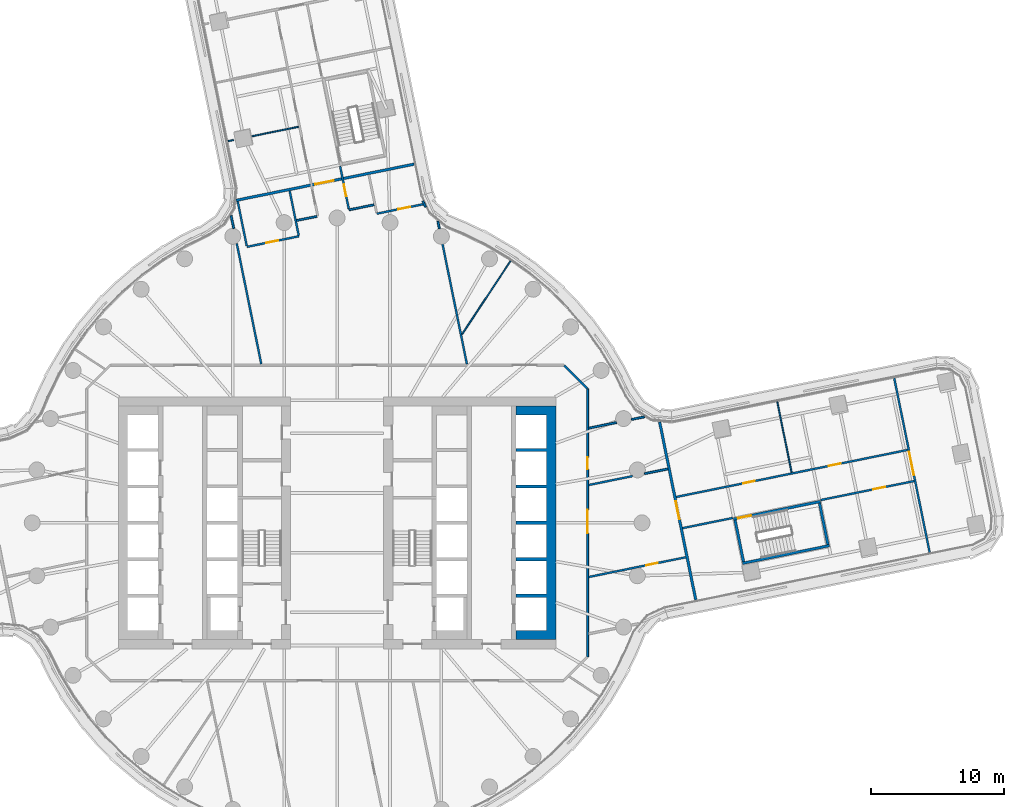
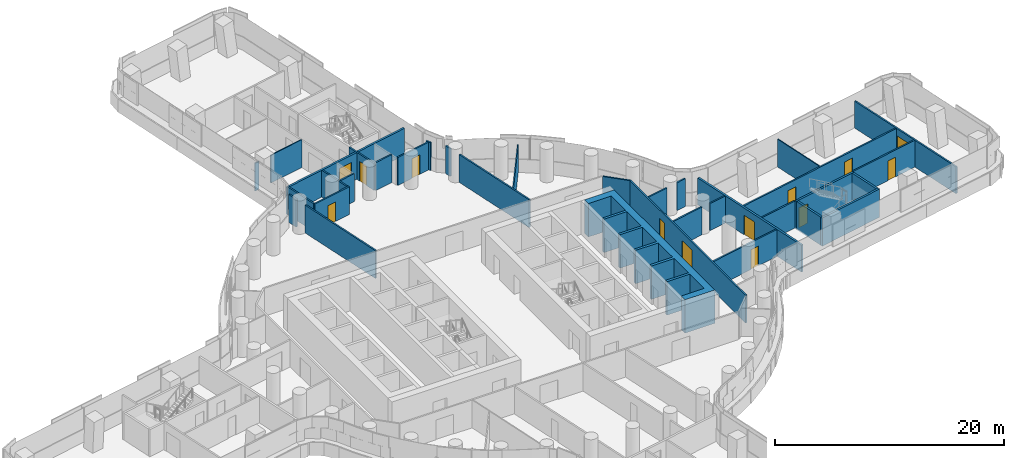
# One storey, part 21 of 31: 34 walls, 13 doors, 13 openings.
"""IFC4 building model written with IfcOpenShell, lengths in metres."""

from ifc_helpers import new_model, si_unit, direction, frame, frame_2d, origin, place, context, subcontext, project, spatial, polyline, rectangle, outline, extrude, material, layer, layer_set, type_object, element, fill, save


model = new_model("IFC4")

# Units and contexts
model_context = context("Model", 3, precision=1e-05, world=origin(), true_north=direction((0.0, 1.0)))
body_context = subcontext(model_context, "Body", "Model", "MODEL_VIEW")
ifc_project = project(units=[si_unit("LENGTHUNIT", "METRE"), si_unit("AREAUNIT", "SQUARE_METRE"), si_unit("VOLUMEUNIT", "CUBIC_METRE"), si_unit("PLANEANGLEUNIT", "RADIAN"), si_unit("MASSUNIT", "GRAM", prefix="KILO")], contexts=[model_context])

# Site, building, storey
site_placement = place(None, origin())
site = spatial("IfcSite", under=ifc_project, at=site_placement, CompositionType="ELEMENT")
building_placement = place(site_placement, origin())
building = spatial("IfcBuilding", under=site, at=building_placement, Name="Tamarind Cross Interchange Tower", CompositionType="ELEMENT")
storey_placement = place(building_placement, frame((0.0, 0.0, 75.25)))
storey = spatial("IfcBuildingStorey", under=building, at=storey_placement, Name="L17", CompositionType="ELEMENT", Elevation=75.25)

# Walls
ifc_material_1 = material(Name="Concrete C80", Category="concrete")
ifc_layer_1 = layer(ifc_material_1, 0.699951171875)
ifc_layer_set_1 = layer_set([ifc_layer_1], Name="Concrete C80")
wall_type_1 = type_object("IfcWallType", Name="Core wall 700 mm Concrete C80", PredefinedType="SHEAR", material=ifc_layer_set_1)
wall_1_placement = place(storey_placement, origin())
element("IfcWall", 1, at=wall_1_placement, inside=storey, type_object=wall_type_1, Name="Core wall CWL-L17-E-A", PredefinedType="SHEAR", context=body_context, shape_type="SweptSolid", body=[
    extrude(outline(polyline([(13.5, -8.800048828125), (15.800048828125, -8.800048828125), (16.5, -8.800048828125), (16.5, 8.800048828125), (15.800048828125, 8.800048828125), (13.5, 8.800048828125), (13.5, 8.125), (15.800048828125, 8.125), (15.800048828125, 5.625), (13.5, 5.625), (13.5, 5.375), (15.800048828125, 5.375), (15.800048828125, 2.875), (13.5, 2.875), (13.5, 2.625), (15.800048828125, 2.625), (15.800048828125, 0.125), (13.5, 0.125), (13.5, -0.125), (15.800048828125, -0.125), (15.800048828125, -2.625), (13.5, -2.625), (13.5, -2.875), (15.800048828125, -2.875), (15.800048828125, -5.375), (13.5, -5.375), (13.5, -5.625), (15.800048828125, -5.625), (15.800048828125, -8.125), (13.5, -8.125), (13.5, -8.800048828125)])), origin(), (0.0, 0.0, 1.0), 3.570068359375),
])
ifc_material_2 = material(Name="Gypsum board partition on steel studs", Category="steel")
ifc_layer_2 = layer(ifc_material_2, 0.10009765625)
ifc_layer_set_2 = layer_set([ifc_layer_2], Name="Gypsum board partition on steel studs")
wall_type_2 = type_object("IfcWallType", Name="Partition 100 mm EI 90", PredefinedType="PARTITIONING", material=ifc_layer_set_2)
wall_2_placement = place(storey_placement, frame((33.205078125, 9.1298828125, 0.0), z_axis=(0.0, 0.0, 1.0), x_axis=(0.199282852927, -0.979942010799, 0.0)))
element("IfcWall", 2, at=wall_2_placement, inside=storey, type_object=wall_type_2, Name="Partition L17-025", PredefinedType="PARTITIONING", context=body_context, shape_type="SweptSolid", body=[
    extrude(rectangle(XDim=5.439453125, YDim=0.10009765625, at=frame_2d((2.7197265625, 0.0))), origin(), (0.0, 0.0, 1.0), 2.969970703125),
])
wall_3_placement = place(storey_placement, frame((-8.239013671875, 28.794189453125, 0.0), z_axis=(0.0, 0.0, 1.0), x_axis=(0.979971928463, 0.199135680941, 0.0)))
element("IfcWall", 3, at=wall_3_placement, inside=storey, type_object=wall_type_2, Name="Partition L17-045", PredefinedType="PARTITIONING", context=body_context, shape_type="SweptSolid", body=[
    extrude(rectangle(XDim=0.435302734375, YDim=0.10009765625, at=frame_2d((0.2177734375, 0.0))), origin(), (0.0, 0.0, 1.0), 2.969970703125),
])
wall_4_placement = place(storey_placement, frame((-6.427734375, 29.16259765625, 0.0), z_axis=(0.0, 0.0, 1.0), x_axis=(0.979949020508, 0.199248380685, 0.0)))
element("IfcWall", 4, at=wall_4_placement, inside=storey, type_object=wall_type_2, Name="Partition L17-046", PredefinedType="PARTITIONING", context=body_context, shape_type="SweptSolid", body=[
    extrude(rectangle(XDim=3.59619140625, YDim=0.10009765625, at=frame_2d((1.798095703125, 0.0))), origin(), (0.0, 0.0, 1.0), 2.969970703125),
])
wall_5_placement = place(storey_placement, frame((9.4306640625, 14.23681640625, 0.0), z_axis=(0.0, 0.0, 1.0), x_axis=(0.552140030004, 0.833751394162, 0.0)))
element("IfcWall", 5, at=wall_5_placement, inside=storey, type_object=wall_type_2, Name="Partition L17-071", PredefinedType="PARTITIONING", context=body_context, shape_type="SweptSolid", body=[
    extrude(rectangle(XDim=6.608642578125, YDim=0.10009765625, at=frame_2d((3.30419921875, 0.0))), origin(), (0.0, 0.0, 1.0), 2.969970703125),
])
ifc_layer_3 = layer(ifc_material_2, 0.14990234375)
ifc_layer_set_3 = layer_set([ifc_layer_3], Name="Gypsum board partition on steel studs")
wall_type_3 = type_object("IfcWallType", Name="Partition 150 mm EI 120", PredefinedType="PARTITIONING", material=ifc_layer_set_3)
wall_6_placement = place(storey_placement, frame((-7.99658203125, 23.1845703125, 0.0), z_axis=(0.0, 0.0, 1.0), x_axis=(0.199166137736, -0.979965738982, 0.0)))
element("IfcWall", 6, at=wall_6_placement, inside=storey, type_object=wall_type_3, Name="Partition L17-004", PredefinedType="PARTITIONING", context=body_context, shape_type="SweptSolid", body=[
    extrude(rectangle(XDim=1.000244140625, YDim=0.14990234375, at=frame_2d((0.5, 0.0))), origin(), (0.0, 0.0, 1.0), 2.969970703125),
])
wall_7_placement = place(storey_placement, frame((-7.5693359375, 21.08251953125, 0.0), z_axis=(0.0, 0.0, 1.0), x_axis=(0.199292052779, -0.979940139855, 0.0)))
element("IfcWall", 7, at=wall_7_placement, inside=storey, type_object=wall_type_3, Name="Partition L17-005", PredefinedType="PARTITIONING", context=body_context, shape_type="SweptSolid", body=[
    extrude(rectangle(XDim=9.295654296875, YDim=0.14990234375, at=frame_2d((4.64794921875, 0.0))), origin(), (0.0, 0.0, 1.0), 2.969970703125),
])
wall_8_placement = place(storey_placement, frame((-7.4990234375, 24.2509765625, 0.0), z_axis=(0.0, 0.0, 1.0), x_axis=(0.199153914045, -0.97996822322, 0.0)))
element("IfcWall", 8, at=wall_8_placement, inside=storey, type_object=wall_type_3, Name="Partition L17-008", PredefinedType="PARTITIONING", context=body_context, shape_type="SweptSolid", body=[
    extrude(rectangle(XDim=3.429931640625, YDim=0.14990234375, at=frame_2d((1.71484375, 0.0))), origin(), (0.0, 0.0, 1.0), 2.969970703125),
])
wall_9_placement = place(storey_placement, frame((-3.5791015625, 25.048095703125, 0.0), z_axis=(0.0, 0.0, 1.0), x_axis=(0.199140023723, -0.979971045976, 0.0)))
element("IfcWall", 9, at=wall_9_placement, inside=storey, type_object=wall_type_3, Name="Partition L17-011", PredefinedType="PARTITIONING", context=body_context, shape_type="SweptSolid", body=[
    extrude(rectangle(XDim=3.43017578125, YDim=0.14990234375, at=frame_2d((1.715087890625, 0.0))), origin(), (0.0, 0.0, 1.0), 2.8701171875),
])

# Wall, opening, door
wall_10_placement = place(storey_placement, frame((0.227783203125, 26.903564453125, 0.0), z_axis=(0.0, 0.0, 1.0), x_axis=(0.199254798656, -0.97994771555, 0.0)))
wall_10 = element("IfcWall", 10, at=wall_10_placement, inside=storey, type_object=wall_type_3, Name="Partition L17-013", PredefinedType="PARTITIONING", context=body_context, shape_type="SweptSolid", body=[
    extrude(rectangle(XDim=3.289794921875, YDim=0.14990234375, at=frame_2d((1.64501953125, 0.0))), origin(), (0.0, 0.0, 1.0), 2.8701171875),
])
opening_1_placement = place(wall_10_placement, frame((1.409912109375, 0.0, 0.0)))
opening_1 = element("IfcOpeningElement", 11, at=opening_1_placement, cuts=wall_10, Name="Opening D10", PredefinedType="OPENING", context=body_context, shape_type="SweptSolid", body=[
    extrude(rectangle(XDim=0.89990234375, YDim=2.10009765625, at=frame_2d((0.449951171875, 1.050048828125))), frame((0.0, 0.0849609375, 0.0), z_axis=(0.0, -1.0, 0.0), x_axis=(1.0, 0.0, 0.0)), (0.0, 0.0, 1.0), 0.169921875),
])
ifc_material_3 = material(Name="Fire-resisting door set")
door_type_1 = type_object("IfcDoorType", Name="Interior door 900 x 2100 FD60S", OperationType="SINGLE_SWING_LEFT", PredefinedType="DOOR", material=ifc_material_3)
door_1_placement = place(opening_1_placement, origin())
door_1 = element("IfcDoor", 12, at=door_1_placement, inside=storey, type_object=door_type_1, Name="Door D10", OperationType="SINGLE_SWING_LEFT", OverallHeight=2.10009765625, OverallWidth=0.89990234375, PredefinedType="DOOR", context=body_context, shape_type="SweptSolid", body=[
    extrude(rectangle(XDim=0.89990234375, YDim=2.10009765625, at=frame_2d((0.449951171875, 1.050048828125))), frame((0.0, 0.02490234375, 0.0), z_axis=(0.0, -1.0, 0.0), x_axis=(1.0, 0.0, 0.0)), (0.0, 0.0, 1.0), 0.050048828125),
])
fill(opening_1, door_1)

# Walls
wall_11_placement = place(storey_placement, frame((7.603271484375, 22.751220703125, 0.0), z_axis=(0.0, 0.0, 1.0), x_axis=(0.1988702456, -0.980025828953, 0.0)))
element("IfcWall", 13, at=wall_11_placement, inside=storey, type_object=wall_type_3, Name="Partition L17-022", PredefinedType="PARTITIONING", context=body_context, shape_type="SweptSolid", body=[
    extrude(rectangle(XDim=0.579345703125, YDim=0.14990234375, at=frame_2d((0.28955078125, 0.0))), origin(), (0.0, 0.0, 1.0), 2.969970703125),
])
wall_12_placement = place(storey_placement, frame((7.953857421875, 21.0263671875, 0.0), z_axis=(0.0, 0.0, 1.0), x_axis=(0.19921022079, -0.979956778604, 0.0)))
element("IfcWall", 14, at=wall_12_placement, inside=storey, type_object=wall_type_3, Name="Partition L17-023", PredefinedType="PARTITIONING", context=body_context, shape_type="SweptSolid", body=[
    extrude(rectangle(XDim=9.238037109375, YDim=0.14990234375, at=frame_2d((4.619140625, 0.0))), origin(), (0.0, 0.0, 1.0), 2.969970703125),
])

# Wall, opening, door
wall_13_placement = place(storey_placement, frame((42.027099609375, 10.912109375, 0.0), z_axis=(0.0, 0.0, 1.0), x_axis=(0.199292547886, -0.979940039164, 0.0)))
wall_13 = element("IfcWall", 15, at=wall_13_placement, inside=storey, type_object=wall_type_3, Name="Partition L17-026", PredefinedType="PARTITIONING", context=body_context, shape_type="SweptSolid", body=[
    extrude(rectangle(XDim=13.40185546875, YDim=0.14990234375, at=frame_2d((6.700927734375, 0.0))), origin(), (0.0, 0.0, 1.0), 2.8701171875),
])
opening_2_placement = place(wall_13_placement, frame((5.65380859375, 0.0, 0.0)))
opening_2 = element("IfcOpeningElement", 16, at=opening_2_placement, cuts=wall_13, Name="Opening D15", PredefinedType="OPENING", context=body_context, shape_type="SweptSolid", body=[
    extrude(rectangle(XDim=1.800048828125, YDim=2.10009765625, at=frame_2d((0.89990234375, 1.050048828125))), frame((0.0, 0.0849609375, 0.0), z_axis=(0.0, -1.0, 0.0), x_axis=(1.0, 0.0, 0.0)), (0.0, 0.0, 1.0), 0.169921875),
])
door_type_2 = type_object("IfcDoorType", Name="Interior door 1800 x 2100 FD60S", OperationType="DOUBLE_DOOR_SINGLE_SWING", PredefinedType="DOOR", material=ifc_material_3)
door_2_placement = place(opening_2_placement, origin())
door_2 = element("IfcDoor", 17, at=door_2_placement, inside=storey, type_object=door_type_2, Name="Door D15", OperationType="DOUBLE_DOOR_SINGLE_SWING", OverallHeight=2.10009765625, OverallWidth=1.800048828125, PredefinedType="DOOR", context=body_context, shape_type="SweptSolid", body=[
    extrude(rectangle(XDim=1.800048828125, YDim=2.10009765625, at=frame_2d((0.89990234375, 1.050048828125))), frame((0.0, 0.02490234375, 0.0), z_axis=(0.0, -1.0, 0.0), x_axis=(1.0, 0.0, 0.0)), (0.0, 0.0, 1.0), 0.050048828125),
])
fill(opening_2, door_2)

# Wall
wall_14_placement = place(storey_placement, frame((17.12841796875, 11.87158203125, 0.0), z_axis=(0.0, 0.0, 1.0), x_axis=(0.707106781187, -0.707106781187, 0.0)))
element("IfcWall", 18, at=wall_14_placement, inside=storey, type_object=wall_type_3, Name="Partition L17-028", PredefinedType="PARTITIONING", context=body_context, shape_type="SweptSolid", body=[
    extrude(rectangle(XDim=2.465087890625, YDim=0.14990234375, at=frame_2d((1.232421875, 0.0))), origin(), (0.0, 0.0, 1.0), 2.969970703125),
])

# Wall, opening, door
wall_15_placement = place(storey_placement, frame((-6.802001953125, 20.821044921875, 0.0), z_axis=(0.0, 0.0, 1.0), x_axis=(0.979956053702, 0.199213786702, 0.0)))
wall_15 = element("IfcWall", 19, at=wall_15_placement, inside=storey, type_object=wall_type_3, Name="Partition L17-048", PredefinedType="PARTITIONING", context=body_context, shape_type="SweptSolid", body=[
    extrude(rectangle(XDim=4.0, YDim=0.14990234375, at=frame_2d((2.0, 0.0))), origin(), (0.0, 0.0, 1.0), 2.969970703125),
])
opening_3_placement = place(wall_15_placement, frame((1.5, 0.0, 0.0)))
opening_3 = element("IfcOpeningElement", 20, at=opening_3_placement, cuts=wall_15, Name="Opening D27", PredefinedType="OPENING", context=body_context, shape_type="SweptSolid", body=[
    extrude(rectangle(XDim=0.89990234375, YDim=2.10009765625, at=frame_2d((0.449951171875, 1.050048828125))), frame((0.0, 0.0849609375, 0.0), z_axis=(0.0, -1.0, 0.0), x_axis=(1.0, 0.0, 0.0)), (0.0, 0.0, 1.0), 0.169921875),
])
door_3_placement = place(opening_3_placement, origin())
door_3 = element("IfcDoor", 21, at=door_3_placement, inside=storey, type_object=door_type_1, Name="Door D27", OperationType="SINGLE_SWING_RIGHT", OverallHeight=2.10009765625, OverallWidth=0.89990234375, PredefinedType="DOOR", context=body_context, shape_type="SweptSolid", body=[
    extrude(rectangle(XDim=0.89990234375, YDim=2.10009765625, at=frame_2d((0.449951171875, 1.050048828125))), frame((0.0, 0.02490234375, 0.0), z_axis=(0.0, -1.0, 0.0), x_axis=(1.0, 0.0, 0.0)), (0.0, 0.0, 1.0), 0.050048828125),
])
fill(opening_3, door_3)

# Walls
wall_16_placement = place(storey_placement, frame((-3.047607421875, 22.81005859375, 0.0), z_axis=(0.0, 0.0, 1.0), x_axis=(0.980015066338, 0.198923276041, 0.0)))
element("IfcWall", 22, at=wall_16_placement, inside=storey, type_object=wall_type_3, Name="Partition L17-053", PredefinedType="PARTITIONING", context=body_context, shape_type="SweptSolid", body=[
    extrude(rectangle(XDim=1.554931640625, YDim=0.14990234375, at=frame_2d((0.77734375, 0.0))), origin(), (0.0, 0.0, 1.0), 2.969970703125),
])
wall_17_placement = place(storey_placement, frame((0.89697265625, 23.611083984375, 0.0), z_axis=(0.0, 0.0, 1.0), x_axis=(0.980000847633, 0.19899331305, 0.0)))
element("IfcWall", 23, at=wall_17_placement, inside=storey, type_object=wall_type_3, Name="Partition L17-054", PredefinedType="PARTITIONING", context=body_context, shape_type="SweptSolid", body=[
    extrude(rectangle(XDim=1.925048828125, YDim=0.14990234375, at=frame_2d((0.96240234375, 0.0))), origin(), (0.0, 0.0, 1.0), 2.969970703125),
])

# Wall, opening, door
wall_18_placement = place(storey_placement, frame((2.99609375, 23.323974609375, 0.0), z_axis=(0.0, 0.0, 1.0), x_axis=(0.979983772103, 0.199077388004, 0.0)))
wall_18 = element("IfcWall", 24, at=wall_18_placement, inside=storey, type_object=wall_type_3, Name="Partition L17-055", PredefinedType="PARTITIONING", context=body_context, shape_type="SweptSolid", body=[
    extrude(rectangle(XDim=3.566162109375, YDim=0.14990234375, at=frame_2d((1.783203125, 0.0))), origin(), (0.0, 0.0, 1.0), 2.969970703125),
])
opening_4_placement = place(wall_18_placement, frame((1.64990234375, 0.0, 0.0)))
opening_4 = element("IfcOpeningElement", 25, at=opening_4_placement, cuts=wall_18, Name="Opening D30", PredefinedType="OPENING", context=body_context, shape_type="SweptSolid", body=[
    extrude(rectangle(XDim=0.89990234375, YDim=2.10009765625, at=frame_2d((0.449951171875, 1.050048828125))), frame((0.0, 0.0849609375, 0.0), z_axis=(0.0, -1.0, 0.0), x_axis=(1.0, 0.0, 0.0)), (0.0, 0.0, 1.0), 0.169921875),
])
door_4_placement = place(opening_4_placement, origin())
door_4 = element("IfcDoor", 26, at=door_4_placement, inside=storey, type_object=door_type_1, Name="Door D30", OperationType="SINGLE_SWING_LEFT", OverallHeight=2.10009765625, OverallWidth=0.89990234375, PredefinedType="DOOR", context=body_context, shape_type="SweptSolid", body=[
    extrude(rectangle(XDim=0.89990234375, YDim=2.10009765625, at=frame_2d((0.449951171875, 1.050048828125))), frame((0.0, 0.02490234375, 0.0), z_axis=(0.0, -1.0, 0.0), x_axis=(1.0, 0.0, 0.0)), (0.0, 0.0, 1.0), 0.050048828125),
])
fill(opening_4, door_4)

wall_19_placement = place(storey_placement, frame((18.973388671875, -4.085205078125, 0.0), z_axis=(0.0, 0.0, 1.0), x_axis=(0.979950067583, 0.19924323086, 0.0)))
wall_19 = element("IfcWall", 27, at=wall_19_placement, inside=storey, type_object=wall_type_3, Name="Partition L17-056", PredefinedType="PARTITIONING", context=body_context, shape_type="SweptSolid", body=[
    extrude(rectangle(XDim=7.474609375, YDim=0.14990234375, at=frame_2d((3.7373046875, 0.0))), origin(), (0.0, 0.0, 1.0), 2.8701171875),
])
opening_5_placement = place(wall_19_placement, frame((4.425048828125, 0.0, 0.0)))
opening_5 = element("IfcOpeningElement", 28, at=opening_5_placement, cuts=wall_19, Name="Opening D31", PredefinedType="OPENING", context=body_context, shape_type="SweptSolid", body=[
    extrude(rectangle(XDim=0.89990234375, YDim=2.10009765625, at=frame_2d((0.449951171875, 1.050048828125))), frame((0.0, 0.0849609375, 0.0), z_axis=(0.0, -1.0, 0.0), x_axis=(1.0, 0.0, 0.0)), (0.0, 0.0, 1.0), 0.169921875),
])
door_5_placement = place(opening_5_placement, frame((0.89990234375, 0.0, 0.0), z_axis=(0.0, 0.0, 1.0), x_axis=(-1.0, 0.0, 0.0)))
door_5 = element("IfcDoor", 29, at=door_5_placement, inside=storey, type_object=door_type_1, Name="Door D31", OperationType="SINGLE_SWING_RIGHT", OverallHeight=2.10009765625, OverallWidth=0.89990234375, PredefinedType="DOOR", context=body_context, shape_type="SweptSolid", body=[
    extrude(rectangle(XDim=0.89990234375, YDim=2.10009765625, at=frame_2d((0.449951171875, 1.050048828125))), frame((0.0, 0.02490234375, 0.0), z_axis=(0.0, -1.0, 0.0), x_axis=(1.0, 0.0, 0.0)), (0.0, 0.0, 1.0), 0.050048828125),
])
fill(opening_5, door_5)

# Walls
wall_20_placement = place(storey_placement, frame((18.973388671875, 2.85400390625, 0.0), z_axis=(0.0, 0.0, 1.0), x_axis=(0.979950296152, 0.199242106673, 0.0)))
element("IfcWall", 30, at=wall_20_placement, inside=storey, type_object=wall_type_3, Name="Partition L17-057", PredefinedType="PARTITIONING", context=body_context, shape_type="SweptSolid", body=[
    extrude(rectangle(XDim=3.378173828125, YDim=0.14990234375, at=frame_2d((1.68896484375, 0.0))), origin(), (0.0, 0.0, 1.0), 2.969970703125),
])
wall_21_placement = place(storey_placement, frame((23.1845703125, 3.71044921875, 0.0), z_axis=(0.0, 0.0, 1.0), x_axis=(0.979938907772, 0.199298110967, 0.0)))
element("IfcWall", 31, at=wall_21_placement, inside=storey, type_object=wall_type_3, Name="Partition L17-058", PredefinedType="PARTITIONING", context=body_context, shape_type="SweptSolid", body=[
    extrude(rectangle(XDim=1.799560546875, YDim=0.14990234375, at=frame_2d((0.89990234375, 0.0))), origin(), (0.0, 0.0, 1.0), 2.8701171875),
])

# Wall, openings, doors
wall_22_placement = place(storey_placement, frame((25.5830078125, 1.952880859375, 0.0), z_axis=(0.0, 0.0, 1.0), x_axis=(0.979952528363, 0.199231127477, 0.0)))
wall_22 = element("IfcWall", 32, at=wall_22_placement, inside=storey, type_object=wall_type_3, Name="Partition L17-061", PredefinedType="PARTITIONING", context=body_context, shape_type="SweptSolid", body=[
    extrude(rectangle(XDim=17.824951171875, YDim=0.14990234375, at=frame_2d((8.91259765625, 0.0))), origin(), (0.0, 0.0, 1.0), 2.8701171875),
])
opening_6_placement = place(wall_22_placement, frame((5.14990234375, 0.0, 0.0)))
opening_6 = element("IfcOpeningElement", 33, at=opening_6_placement, cuts=wall_22, Name="Opening D32", PredefinedType="OPENING", context=body_context, shape_type="SweptSolid", body=[
    extrude(rectangle(XDim=0.89990234375, YDim=2.10009765625, at=frame_2d((0.449951171875, 1.050048828125))), frame((0.0, 0.0849609375, 0.0), z_axis=(0.0, -1.0, 0.0), x_axis=(1.0, 0.0, 0.0)), (0.0, 0.0, 1.0), 0.169921875),
])
opening_7_placement = place(wall_22_placement, frame((11.74951171875, 0.0, 0.0)))
opening_7 = element("IfcOpeningElement", 34, at=opening_7_placement, cuts=wall_22, Name="Opening D33", PredefinedType="OPENING", context=body_context, shape_type="SweptSolid", body=[
    extrude(rectangle(XDim=0.89990234375, YDim=2.10009765625, at=frame_2d((0.449951171875, 1.050048828125))), frame((0.0, 0.0849609375, 0.0), z_axis=(0.0, -1.0, 0.0), x_axis=(1.0, 0.0, 0.0)), (0.0, 0.0, 1.0), 0.169921875),
])
door_6_placement = place(opening_6_placement, origin())
door_6 = element("IfcDoor", 35, at=door_6_placement, inside=storey, type_object=door_type_1, Name="Door D32", OperationType="SINGLE_SWING_RIGHT", OverallHeight=2.10009765625, OverallWidth=0.89990234375, PredefinedType="DOOR", context=body_context, shape_type="SweptSolid", body=[
    extrude(rectangle(XDim=0.89990234375, YDim=2.10009765625, at=frame_2d((0.449951171875, 1.050048828125))), frame((0.0, 0.02490234375, 0.0), z_axis=(0.0, -1.0, 0.0), x_axis=(1.0, 0.0, 0.0)), (0.0, 0.0, 1.0), 0.050048828125),
])
fill(opening_6, door_6)
door_7_placement = place(opening_7_placement, origin())
door_7 = element("IfcDoor", 36, at=door_7_placement, inside=storey, type_object=door_type_1, Name="Door D33", OperationType="SINGLE_SWING_LEFT", OverallHeight=2.10009765625, OverallWidth=0.89990234375, PredefinedType="DOOR", context=body_context, shape_type="SweptSolid", body=[
    extrude(rectangle(XDim=0.89990234375, YDim=2.10009765625, at=frame_2d((0.449951171875, 1.050048828125))), frame((0.0, 0.02490234375, 0.0), z_axis=(0.0, -1.0, 0.0), x_axis=(1.0, 0.0, 0.0)), (0.0, 0.0, 1.0), 0.050048828125),
])
fill(opening_7, door_7)

# Wall
wall_23_placement = place(storey_placement, frame((26.06103515625, -0.399169921875, 0.0), z_axis=(0.0, 0.0, 1.0), x_axis=(0.979938127912, 0.199301945462, 0.0)))
element("IfcWall", 37, at=wall_23_placement, inside=storey, type_object=wall_type_3, Name="Partition L17-062", PredefinedType="PARTITIONING", context=body_context, shape_type="SweptSolid", body=[
    extrude(rectangle(XDim=3.85986328125, YDim=0.14990234375, at=frame_2d((1.929931640625, 0.0))), origin(), (0.0, 0.0, 1.0), 2.8701171875),
])

# Wall, opening, door
wall_24_placement = place(storey_placement, frame((36.4873046875, 1.72119140625, 0.0), z_axis=(0.0, 0.0, 1.0), x_axis=(0.979936437321, 0.199310257665, 0.0)))
wall_24 = element("IfcWall", 38, at=wall_24_placement, inside=storey, type_object=wall_type_3, Name="Partition L17-063", PredefinedType="PARTITIONING", context=body_context, shape_type="SweptSolid", body=[
    extrude(rectangle(XDim=7.185546875, YDim=0.14990234375, at=frame_2d((3.5927734375, 0.0))), origin(), (0.0, 0.0, 1.0), 2.8701171875),
])
opening_8_placement = place(wall_24_placement, frame((4.050048828125, 0.0, 0.0)))
opening_8 = element("IfcOpeningElement", 39, at=opening_8_placement, cuts=wall_24, Name="Opening D34", PredefinedType="OPENING", context=body_context, shape_type="SweptSolid", body=[
    extrude(rectangle(XDim=0.89990234375, YDim=2.10009765625, at=frame_2d((0.449951171875, 1.050048828125))), frame((0.0, 0.0849609375, 0.0), z_axis=(0.0, -1.0, 0.0), x_axis=(1.0, 0.0, 0.0)), (0.0, 0.0, 1.0), 0.169921875),
])
door_8_placement = place(opening_8_placement, frame((0.89990234375, 0.0, 0.0), z_axis=(0.0, 0.0, 1.0), x_axis=(-1.0, 0.0, 0.0)))
door_8 = element("IfcDoor", 40, at=door_8_placement, inside=storey, type_object=door_type_1, Name="Door D34", OperationType="SINGLE_SWING_RIGHT", OverallHeight=2.10009765625, OverallWidth=0.89990234375, PredefinedType="DOOR", context=body_context, shape_type="SweptSolid", body=[
    extrude(rectangle(XDim=0.89990234375, YDim=2.10009765625, at=frame_2d((0.449951171875, 1.050048828125))), frame((0.0, 0.02490234375, 0.0), z_axis=(0.0, -1.0, 0.0), x_axis=(1.0, 0.0, 0.0)), (0.0, 0.0, 1.0), 0.050048828125),
])
fill(opening_8, door_8)

# Walls
wall_25_placement = place(storey_placement, frame((18.973388671875, 7.139892578125, 0.0), z_axis=(0.0, 0.0, 1.0), x_axis=(0.979916380724, 0.199408843305, 0.0)))
element("IfcWall", 41, at=wall_25_placement, inside=storey, type_object=wall_type_3, Name="Partition L17-066", PredefinedType="PARTITIONING", context=body_context, shape_type="SweptSolid", body=[
    extrude(rectangle(XDim=2.15234375, YDim=0.14990234375, at=frame_2d((1.076171875, 0.0))), origin(), (0.0, 0.0, 1.0), 2.969970703125),
])
wall_26_placement = place(storey_placement, frame((22.204345703125, 7.79736328125, 0.0), z_axis=(0.0, 0.0, 1.0), x_axis=(0.979965738982, 0.199166137736, 0.0)))
element("IfcWall", 42, at=wall_26_placement, inside=storey, type_object=wall_type_3, Name="Partition L17-067", PredefinedType="PARTITIONING", context=body_context, shape_type="SweptSolid", body=[
    extrude(rectangle(XDim=1.000244140625, YDim=0.14990234375, at=frame_2d((0.5, 0.0))), origin(), (0.0, 0.0, 1.0), 2.969970703125),
])

# Wall, openings, doors
wall_27_placement = place(storey_placement, frame((18.89990234375, -10.10009765625, 0.0), z_axis=(0.0, 0.0, 1.0), x_axis=(0.0, 1.0, 0.0)))
wall_27 = element("IfcWall", 43, at=wall_27_placement, inside=storey, type_object=wall_type_3, Name="Partition L17-073", PredefinedType="PARTITIONING", context=body_context, shape_type="SweptSolid", body=[
    extrude(rectangle(XDim=20.2001953125, YDim=0.14990234375, at=frame_2d((10.10009765625, 0.0))), origin(), (0.0, 0.0, 1.0), 2.969970703125),
])
opening_9_placement = place(wall_27_placement, frame((9.300048828125, 0.0, 0.0)))
opening_9 = element("IfcOpeningElement", 44, at=opening_9_placement, cuts=wall_27, Name="Opening D37", PredefinedType="OPENING", context=body_context, shape_type="SweptSolid", body=[
    extrude(rectangle(XDim=1.800048828125, YDim=2.10009765625, at=frame_2d((0.89990234375, 1.050048828125))), frame((0.0, 0.0849609375, 0.0), z_axis=(0.0, -1.0, 0.0), x_axis=(1.0, 0.0, 0.0)), (0.0, 0.0, 1.0), 0.169921875),
])
opening_10_placement = place(wall_27_placement, frame((14.138916015625, 0.0, 0.0)))
opening_10 = element("IfcOpeningElement", 45, at=opening_10_placement, cuts=wall_27, Name="Opening D38", PredefinedType="OPENING", context=body_context, shape_type="SweptSolid", body=[
    extrude(rectangle(XDim=0.89990234375, YDim=2.10009765625, at=frame_2d((0.449951171875, 1.050048828125))), frame((0.0, 0.0849609375, 0.0), z_axis=(0.0, -1.0, 0.0), x_axis=(1.0, 0.0, 0.0)), (0.0, 0.0, 1.0), 0.169921875),
])
door_9_placement = place(opening_9_placement, origin())
door_9 = element("IfcDoor", 46, at=door_9_placement, inside=storey, type_object=door_type_2, Name="Door D37", OperationType="DOUBLE_DOOR_SINGLE_SWING", OverallHeight=2.10009765625, OverallWidth=1.800048828125, PredefinedType="DOOR", context=body_context, shape_type="SweptSolid", body=[
    extrude(rectangle(XDim=1.800048828125, YDim=2.10009765625, at=frame_2d((0.89990234375, 1.050048828125))), frame((0.0, 0.02490234375, 0.0), z_axis=(0.0, -1.0, 0.0), x_axis=(1.0, 0.0, 0.0)), (0.0, 0.0, 1.0), 0.050048828125),
])
fill(opening_9, door_9)
door_10_placement = place(opening_10_placement, frame((0.89990234375, 0.0, 0.0), z_axis=(0.0, 0.0, 1.0), x_axis=(-1.0, 0.0, 0.0)))
door_10 = element("IfcDoor", 47, at=door_10_placement, inside=storey, type_object=door_type_1, Name="Door D38", OperationType="SINGLE_SWING_RIGHT", OverallHeight=2.10009765625, OverallWidth=0.89990234375, PredefinedType="DOOR", context=body_context, shape_type="SweptSolid", body=[
    extrude(rectangle(XDim=0.89990234375, YDim=2.10009765625, at=frame_2d((0.449951171875, 1.050048828125))), frame((0.0, 0.02490234375, 0.0), z_axis=(0.0, -1.0, 0.0), x_axis=(1.0, 0.0, 0.0)), (0.0, 0.0, 1.0), 0.050048828125),
])
fill(opening_10, door_10)

# Wall
wall_28_placement = place(storey_placement, frame((6.677978515625, 23.8232421875, 0.0), z_axis=(0.0, 0.0, 1.0), x_axis=(-0.414501717586, 0.91004852954, 0.0)))
element("IfcWall", 48, at=wall_28_placement, inside=storey, type_object=wall_type_3, Name="Partition L17-074", PredefinedType="PARTITIONING", context=body_context, shape_type="SweptSolid", body=[
    extrude(rectangle(XDim=0.5, YDim=0.14990234375, at=frame_2d((0.25, 0.0))), origin(), (0.0, 0.0, 1.0), 2.969970703125),
])

# Wall, opening, door
ifc_layer_4 = layer(ifc_material_2, 0.199951171875)
ifc_layer_set_4 = layer_set([ifc_layer_4], Name="Gypsum board partition on steel studs")
wall_type_4 = type_object("IfcWallType", Name="Partition 200 mm EI 180", PredefinedType="PARTITIONING", material=ifc_layer_set_4)
wall_29_placement = place(storey_placement, frame((24.330078125, 7.613037109375, 0.0), z_axis=(0.0, 0.0, 1.0), x_axis=(0.199070356953, -0.97998520039, 0.0)))
wall_29 = element("IfcWall", 49, at=wall_29_placement, inside=storey, type_object=wall_type_4, Name="Partition L17-024", PredefinedType="PARTITIONING", context=body_context, shape_type="SweptSolid", body=[
    extrude(rectangle(XDim=13.6953125, YDim=0.199951171875, at=frame_2d((6.84765625, 0.0))), origin(), (0.0, 0.0, 1.0), 2.8701171875),
])
opening_11_placement = place(wall_29_placement, frame((6.09619140625, 0.0, 0.0)))
opening_11 = element("IfcOpeningElement", 50, at=opening_11_placement, cuts=wall_29, Name="Opening D14", PredefinedType="OPENING", context=body_context, shape_type="SweptSolid", body=[
    extrude(rectangle(XDim=1.39990234375, YDim=2.10009765625, at=frame_2d((0.699951171875, 1.050048828125))), frame((0.0, 0.10986328125, 0.0), z_axis=(0.0, -1.0, 0.0), x_axis=(1.0, 0.0, 0.0)), (0.0, 0.0, 1.0), 0.219970703125),
])
door_type_3 = type_object("IfcDoorType", Name="Interior door 1400 x 2100 FD120S", OperationType="DOUBLE_DOOR_SINGLE_SWING", PredefinedType="DOOR", material=ifc_material_3)
door_11_placement = place(opening_11_placement, frame((1.39990234375, 0.0, 0.0), z_axis=(0.0, 0.0, 1.0), x_axis=(-1.0, 0.0, 0.0)))
door_11 = element("IfcDoor", 51, at=door_11_placement, inside=storey, type_object=door_type_3, Name="Door D14", OperationType="DOUBLE_DOOR_SINGLE_SWING", OverallHeight=2.10009765625, OverallWidth=1.39990234375, PredefinedType="DOOR", context=body_context, shape_type="SweptSolid", body=[
    extrude(rectangle(XDim=1.39990234375, YDim=2.10009765625, at=frame_2d((0.699951171875, 1.050048828125))), frame((0.0, 0.02490234375, 0.0), z_axis=(0.0, -1.0, 0.0), x_axis=(1.0, 0.0, 0.0)), (0.0, 0.0, 1.0), 0.050048828125),
])
fill(opening_11, door_11)

wall_30_placement = place(storey_placement, frame((-7.613037109375, 24.329833984375, 0.0), z_axis=(0.0, 0.0, 1.0), x_axis=(0.979948993984, 0.199248511138, 0.0)))
wall_30 = element("IfcWall", 52, at=wall_30_placement, inside=storey, type_object=wall_type_4, Name="Partition L17-047", PredefinedType="PARTITIONING", context=body_context, shape_type="SweptSolid", body=[
    extrude(rectangle(XDim=13.6953125, YDim=0.199951171875, at=frame_2d((6.84765625, 0.0))), origin(), (0.0, 0.0, 1.0), 2.8701171875),
])
opening_12_placement = place(wall_30_placement, frame((6.09619140625, 0.0, 0.0)))
opening_12 = element("IfcOpeningElement", 53, at=opening_12_placement, cuts=wall_30, Name="Opening D26", PredefinedType="OPENING", context=body_context, shape_type="SweptSolid", body=[
    extrude(rectangle(XDim=1.39990234375, YDim=2.10009765625, at=frame_2d((0.699951171875, 1.050048828125))), frame((0.0, 0.10986328125, 0.0), z_axis=(0.0, -1.0, 0.0), x_axis=(1.0, 0.0, 0.0)), (0.0, 0.0, 1.0), 0.219970703125),
])
door_12_placement = place(opening_12_placement, frame((1.39990234375, 0.0, 0.0), z_axis=(0.0, 0.0, 1.0), x_axis=(-1.0, 0.0, 0.0)))
door_12 = element("IfcDoor", 54, at=door_12_placement, inside=storey, type_object=door_type_3, Name="Door D26", OperationType="DOUBLE_DOOR_SINGLE_SWING", OverallHeight=2.10009765625, OverallWidth=1.39990234375, PredefinedType="DOOR", context=body_context, shape_type="SweptSolid", body=[
    extrude(rectangle(XDim=1.39990234375, YDim=2.10009765625, at=frame_2d((0.699951171875, 1.050048828125))), frame((0.0, 0.02490234375, 0.0), z_axis=(0.0, -1.0, 0.0), x_axis=(1.0, 0.0, 0.0)), (0.0, 0.0, 1.0), 0.050048828125),
])
fill(opening_12, door_12)

ifc_material_4 = material(Name="Concrete C40", Category="concrete")
ifc_layer_5 = layer(ifc_material_4, 0.199951171875)
ifc_layer_set_5 = layer_set([ifc_layer_5], Name="Concrete C40")
wall_type_5 = type_object("IfcWallType", Name="Stair shaft wall 200 mm Concrete C40", PredefinedType="SHEAR", material=ifc_layer_set_5)
wall_31_placement = place(storey_placement, frame((29.902587890625, 0.2802734375, -0.139892578125), z_axis=(0.0, 0.0, 1.0), x_axis=(0.979956319534, 0.199212479042, 0.0)))
wall_31 = element("IfcWall", 55, at=wall_31_placement, inside=storey, type_object=wall_type_5, Name="Core wall CWL-L17-ST3-H", PredefinedType="SHEAR", context=body_context, shape_type="SweptSolid", body=[
    extrude(rectangle(XDim=6.699951171875, YDim=0.199951171875, at=frame_2d((3.35009765625, 0.0))), origin(), (0.0, 0.0, 1.0), 3.010009765625),
])
opening_13_placement = place(wall_31_placement, frame((0.35009765625, 0.0, 0.0)))
opening_13 = element("IfcOpeningElement", 56, at=opening_13_placement, cuts=wall_31, Name="Opening ST3L17", PredefinedType="OPENING", context=body_context, shape_type="SweptSolid", body=[
    extrude(rectangle(XDim=1.0, YDim=2.10009765625, at=frame_2d((0.5, 1.050048828125))), frame((0.0, 0.10986328125, 0.0), z_axis=(0.0, -1.0, 0.0), x_axis=(1.0, 0.0, 0.0)), (0.0, 0.0, 1.0), 0.219970703125),
])
ifc_material_5 = material(Name="Steel, fire-resisting", Category="steel")
door_type_4 = type_object("IfcDoorType", Name="Core fire door 1000 x 2100 FD90", OperationType="SINGLE_SWING_LEFT", PredefinedType="DOOR", material=ifc_material_5)
door_13_placement = place(opening_13_placement, origin())
door_13 = element("IfcDoor", 57, at=door_13_placement, inside=storey, type_object=door_type_4, Name="L17 stair door ST3", OperationType="SINGLE_SWING_LEFT", OverallHeight=2.10009765625, OverallWidth=1.0, PredefinedType="DOOR", context=body_context, shape_type="SweptSolid", body=[
    extrude(rectangle(XDim=1.0, YDim=2.10009765625, at=frame_2d((0.5, 1.050048828125))), frame((0.0, 0.02490234375, 0.0), z_axis=(0.0, -1.0, 0.0), x_axis=(1.0, 0.0, 0.0)), (0.0, 0.0, 1.0), 0.050048828125),
])
fill(opening_13, door_13)

# Walls
wall_32_placement = place(storey_placement, frame((30.580078125, -3.0517578125, -0.139892578125), z_axis=(0.0, 0.0, 1.0), x_axis=(0.979949205339, 0.199247471639, 0.0)))
element("IfcWall", 58, at=wall_32_placement, inside=storey, type_object=wall_type_5, Name="Core wall CWL-L17-ST3-C", PredefinedType="SHEAR", context=body_context, shape_type="SweptSolid", body=[
    extrude(rectangle(XDim=6.699951171875, YDim=0.199951171875, at=frame_2d((3.35009765625, 0.0))), origin(), (0.0, 0.0, 1.0), 3.010009765625),
])
wall_33_placement = place(storey_placement, frame((30.658203125, -2.93359375, -0.139892578125), z_axis=(0.0, 0.0, 1.0), x_axis=(-0.199284316026, 0.97994171326, 0.0)))
element("IfcWall", 59, at=wall_33_placement, inside=storey, type_object=wall_type_5, Name="Core wall CWL-L17-ST3-CE", PredefinedType="SHEAR", context=body_context, shape_type="SweptSolid", body=[
    extrude(rectangle(XDim=3.199951171875, YDim=0.199951171875, at=frame_2d((1.60009765625, 0.0))), origin(), (0.0, 0.0, 1.0), 3.010009765625),
])
wall_34_placement = place(storey_placement, frame((0.0, 0.0, -0.139892578125)))
element("IfcWall", 60, at=wall_34_placement, inside=storey, type_object=wall_type_5, Name="Core wall CWL-L17-ST3-CF", PredefinedType="SHEAR", context=body_context, shape_type="SweptSolid", body=[
    extrude(outline(polyline([(36.9296875, -1.65869140625), (37.125732421875, -1.61865234375), (36.48828125, 1.51708984375), (36.292236328125, 1.477294921875), (36.9296875, -1.65869140625)])), origin(), (0.0, 0.0, 1.0), 3.010009765625),
])

save(model, "model.ifc")
